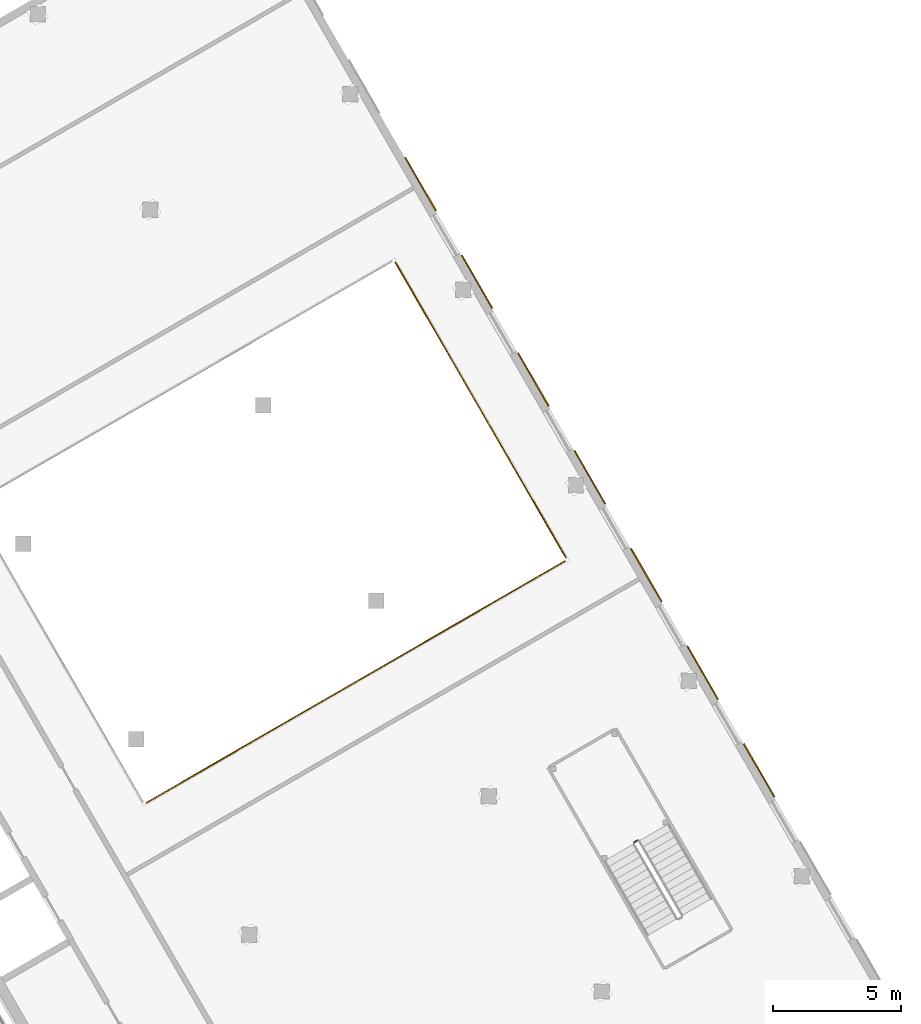
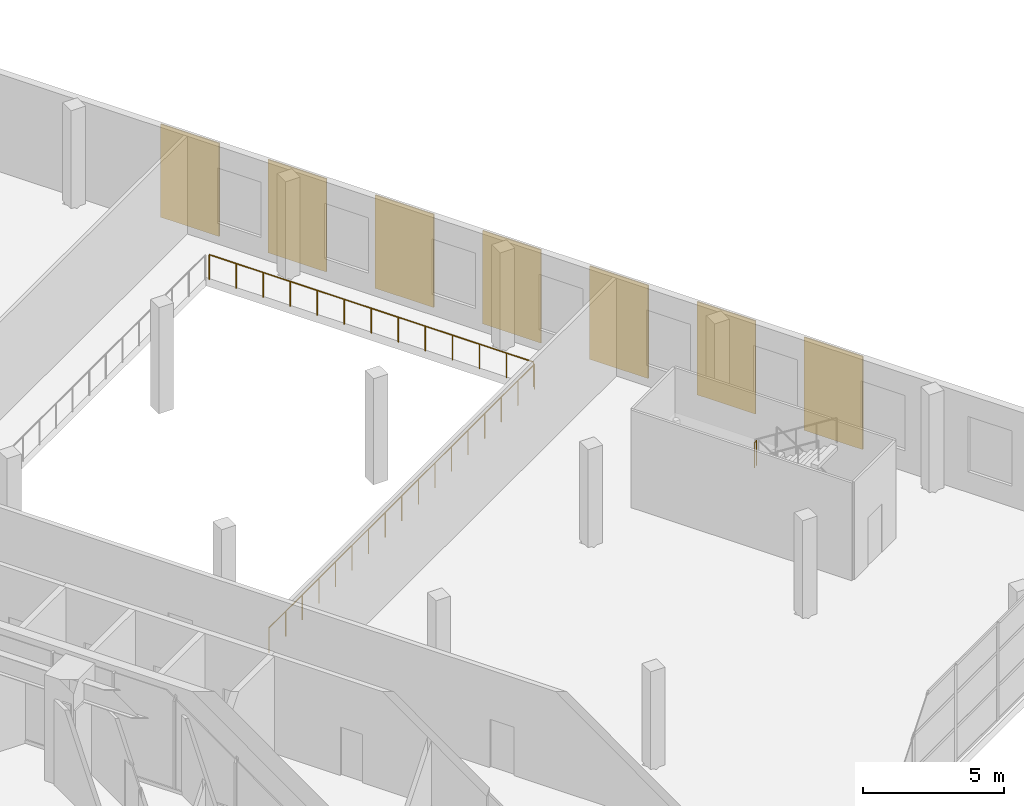
# One storey, part 28 of 30: 7 coverings, 3 railings.
"""IFC4 building model written with IfcOpenShell, lengths in metres."""

from ifc_helpers import new_model, si_unit, direction, frame, origin, origin_2d, place, context, subcontext, project, spatial, rectangle, circle, extrude, material, layer, layer_set, type_object, element, save


model = new_model("IFC4")

# Units and contexts
model_context = context("Model", 3, precision=1e-05, world=origin(), true_north=direction((0.0, 1.0)))
body_context = subcontext(model_context, "Body", "Model", "MODEL_VIEW")
ifc_project = project(units=[si_unit("LENGTHUNIT", "METRE"), si_unit("AREAUNIT", "SQUARE_METRE"), si_unit("VOLUMEUNIT", "CUBIC_METRE"), si_unit("PLANEANGLEUNIT", "RADIAN"), si_unit("MASSUNIT", "GRAM", prefix="KILO")], contexts=[model_context])

# Site, building, storey
site_placement = place(None, origin())
site = spatial("IfcSite", under=ifc_project, at=site_placement, CompositionType="ELEMENT")
building_placement = place(site_placement, origin())
building = spatial("IfcBuilding", under=site, at=building_placement, Name="Firuza Gate Tower and Library", CompositionType="ELEMENT")
storey_placement = place(building_placement, frame((0.0, 0.0, 12.60009765625)))
storey = spatial("IfcBuildingStorey", under=building, at=storey_placement, Name="L02", CompositionType="ELEMENT", Elevation=12.60009765625)

# Railings
ifc_material_1 = material(Name="Steel S355", Category="steel")
railing_type = type_object("IfcRailingType", Name="LIB GUARD", PredefinedType="GUARDRAIL", material=ifc_material_1)
railing_1_placement = place(storey_placement, frame((121.2890625, 86.494384765625, 2.2998046875)))
element("IfcRailing", 1, at=railing_1_placement, inside=storey, type_object=railing_type, Name="L02 LIB-ST-C stair guard 2", PredefinedType="GUARDRAIL", context=body_context, shape_type="SweptSolid", body=[
    extrude(circle(Radius=0.02392578125, at=origin_2d()), frame((0.0, 0.0, 1.076171875), z_axis=(-0.866131372301, -0.499816412211, 0.0), x_axis=(0.499816412211, -0.866131372301, 0.0)), (0.0, 0.0, 1.0), 0.14990234375),
    extrude(circle(Radius=0.02099609375, at=origin_2d()), origin(), (0.0, 0.0, 1.0), 1.052001953125),
    extrude(circle(Radius=0.02099609375, at=origin_2d()), frame((-0.1298828125, -0.074951171875, 0.0)), (0.0, 0.0, 1.0), 1.052001953125),
])
railing_2_placement = place(storey_placement, frame((111.853515625, 109.036865234375, 0.0)))
element("IfcRailing", 2, at=railing_2_placement, inside=storey, type_object=railing_type, Name="Reading room gallery guard 3", PredefinedType="GUARDRAIL", context=body_context, shape_type="SweptSolid", body=[
    extrude(circle(Radius=0.02392578125, at=origin_2d()), frame((0.0, 0.0, 1.076171875), z_axis=(0.500010587032, -0.866019291273, 0.0), x_axis=(0.866019291273, 0.500010587032, 0.0)), (0.0, 0.0, 1.0), 13.300048828125),
    extrude(circle(Radius=0.02099609375, at=origin_2d()), origin(), (0.0, 0.0, 1.0), 1.052001953125),
    extrude(circle(Radius=0.02099609375, at=origin_2d()), frame((0.55419921875, -0.9599609375, 0.0)), (0.0, 0.0, 1.0), 1.052001953125),
    extrude(circle(Radius=0.02099609375, at=origin_2d()), frame((1.1083984375, -1.919677734375, 0.0)), (0.0, 0.0, 1.0), 1.052001953125),
    extrude(circle(Radius=0.02099609375, at=origin_2d()), frame((1.66259765625, -2.87939453125, 0.0)), (0.0, 0.0, 1.0), 1.052001953125),
    extrude(circle(Radius=0.02099609375, at=origin_2d()), frame((2.216796875, -3.83935546875, 0.0)), (0.0, 0.0, 1.0), 1.052001953125),
    extrude(circle(Radius=0.02099609375, at=origin_2d()), frame((2.77099609375, -4.79931640625, 0.0)), (0.0, 0.0, 1.0), 1.052001953125),
    extrude(circle(Radius=0.02099609375, at=origin_2d()), frame((3.3251953125, -5.759033203125, 0.0)), (0.0, 0.0, 1.0), 1.052001953125),
    extrude(circle(Radius=0.02099609375, at=origin_2d()), frame((3.879150390625, -6.71875, 0.0)), (0.0, 0.0, 1.0), 1.052001953125),
    extrude(circle(Radius=0.02099609375, at=origin_2d()), frame((4.433349609375, -7.6787109375, 0.0)), (0.0, 0.0, 1.0), 1.052001953125),
    extrude(circle(Radius=0.02099609375, at=origin_2d()), frame((4.987548828125, -8.638671875, 0.0)), (0.0, 0.0, 1.0), 1.052001953125),
    extrude(circle(Radius=0.02099609375, at=origin_2d()), frame((5.541748046875, -9.598388671875, 0.0)), (0.0, 0.0, 1.0), 1.052001953125),
    extrude(circle(Radius=0.02099609375, at=origin_2d()), frame((6.095947265625, -10.55810546875, 0.0)), (0.0, 0.0, 1.0), 1.052001953125),
    extrude(circle(Radius=0.02099609375, at=origin_2d()), frame((6.650146484375, -11.51806640625, 0.0)), (0.0, 0.0, 1.0), 1.052001953125),
])
railing_3_placement = place(storey_placement, frame((118.467041015625, 97.382080078125, 0.0)))
element("IfcRailing", 3, at=railing_3_placement, inside=storey, type_object=railing_type, Name="Reading room gallery guard 4", PredefinedType="GUARDRAIL", context=body_context, shape_type="SweptSolid", body=[
    extrude(circle(Radius=0.02392578125, at=origin_2d()), frame((0.0, 0.0, 1.076171875), z_axis=(-0.866025981991, -0.499998998516, 0.0), x_axis=(0.499998998516, -0.866025981991, 0.0)), (0.0, 0.0, 1.0), 18.85009765625),
    extrude(circle(Radius=0.02099609375, at=origin_2d()), origin(), (0.0, 0.0, 1.0), 1.052001953125),
    extrude(circle(Radius=0.02099609375, at=origin_2d()), frame((-1.020263671875, -0.589111328125, 0.0)), (0.0, 0.0, 1.0), 1.052001953125),
    extrude(circle(Radius=0.02099609375, at=origin_2d()), frame((-2.04052734375, -1.17822265625, 0.0)), (0.0, 0.0, 1.0), 1.052001953125),
    extrude(circle(Radius=0.02099609375, at=origin_2d()), frame((-3.060791015625, -1.76708984375, 0.0)), (0.0, 0.0, 1.0), 1.052001953125),
    extrude(circle(Radius=0.02099609375, at=origin_2d()), frame((-4.0810546875, -2.356201171875, 0.0)), (0.0, 0.0, 1.0), 1.052001953125),
    extrude(circle(Radius=0.02099609375, at=origin_2d()), frame((-5.1015625, -2.9453125, 0.0)), (0.0, 0.0, 1.0), 1.052001953125),
    extrude(circle(Radius=0.02099609375, at=origin_2d()), frame((-6.121826171875, -3.534423828125, 0.0)), (0.0, 0.0, 1.0), 1.052001953125),
    extrude(circle(Radius=0.02099609375, at=origin_2d()), frame((-7.14208984375, -4.12353515625, 0.0)), (0.0, 0.0, 1.0), 1.052001953125),
    extrude(circle(Radius=0.02099609375, at=origin_2d()), frame((-8.162353515625, -4.71240234375, 0.0)), (0.0, 0.0, 1.0), 1.052001953125),
    extrude(circle(Radius=0.02099609375, at=origin_2d()), frame((-9.1826171875, -5.301513671875, 0.0)), (0.0, 0.0, 1.0), 1.052001953125),
    extrude(circle(Radius=0.02099609375, at=origin_2d()), frame((-10.202880859375, -5.890625, 0.0)), (0.0, 0.0, 1.0), 1.052001953125),
    extrude(circle(Radius=0.02099609375, at=origin_2d()), frame((-11.22314453125, -6.479736328125, 0.0)), (0.0, 0.0, 1.0), 1.052001953125),
    extrude(circle(Radius=0.02099609375, at=origin_2d()), frame((-12.24365234375, -7.06884765625, 0.0)), (0.0, 0.0, 1.0), 1.052001953125),
    extrude(circle(Radius=0.02099609375, at=origin_2d()), frame((-13.263916015625, -7.657958984375, 0.0)), (0.0, 0.0, 1.0), 1.052001953125),
    extrude(circle(Radius=0.02099609375, at=origin_2d()), frame((-14.2841796875, -8.246826171875, 0.0)), (0.0, 0.0, 1.0), 1.052001953125),
    extrude(circle(Radius=0.02099609375, at=origin_2d()), frame((-15.304443359375, -8.8359375, 0.0)), (0.0, 0.0, 1.0), 1.052001953125),
    extrude(circle(Radius=0.02099609375, at=origin_2d()), frame((-16.32470703125, -9.425048828125, 0.0)), (0.0, 0.0, 1.0), 1.052001953125),
])

# Coverings
ifc_material_2 = material(Name="Turquoise glazed ceramic tile")
ifc_layer_1 = layer(ifc_material_2, 0.050048828125)
ifc_layer_set_1 = layer_set([ifc_layer_1], Name="LIB TILE CLADDING")
covering_type_1 = type_object("IfcCoveringType", Name="LIB TILE CLADDING", PredefinedType="CLADDING", material=ifc_layer_set_1)
for number, where, z_axis, x_axis, name in (
    (4, (126.035400390625, 89.223388671875, 0.099853515625), (0.0, 0.0, 1.0), (-0.5, 0.866025403784, 0.0), "L02 TILE panel 3"),
    (5, (121.635498046875, 96.84423828125, 0.099853515625), (0.0, 0.0, 1.0), (-0.5, 0.866025403784, 0.0), "L02 TILE panel 5"),
    (6, (117.2353515625, 104.46533203125, 0.099853515625), (0.0, 0.0, 1.0), (-0.5, 0.866025403784, 0.0), "L02 TILE panel 7"),
    (7, (112.83544921875, 112.086181640625, 0.099853515625), (0.0, 0.0, 1.0), (-0.5, 0.866025403784, 0.0), "L02 TILE panel 9"),
):
    element("IfcCovering", number, at=place(storey_placement, frame(where, z_axis=z_axis, x_axis=x_axis)), inside=storey, type_object=covering_type_1, Name=name, PredefinedType="CLADDING", context=body_context, shape_type="SweptSolid", body=[
        extrude(rectangle(XDim=2.39990234375, YDim=0.050048828125, at=origin_2d()), origin(), (0.0, 0.0, 1.0), 4.0400390625),
    ])
ifc_material_3 = material(Name="Cobalt glazed ceramic tile")
ifc_layer_2 = layer(ifc_material_3, 0.050048828125)
ifc_layer_set_2 = layer_set([ifc_layer_2], Name="LIB TILE CLADDING COBALT")
covering_type_2 = type_object("IfcCoveringType", Name="LIB TILE CLADDING COBALT", PredefinedType="CLADDING", material=ifc_layer_set_2)
for number, where, z_axis, x_axis, name in (
    (8, (123.83544921875, 93.03369140625, 0.099853515625), (0.0, 0.0, 1.0), (-0.5, 0.866025403784, 0.0), "L02 TILE panel 4"),
    (9, (119.435302734375, 100.65478515625, 0.099853515625), (0.0, 0.0, 1.0), (-0.5, 0.866025403784, 0.0), "L02 TILE panel 6"),
    (10, (115.035400390625, 108.27587890625, 0.099853515625), (0.0, 0.0, 1.0), (-0.5, 0.866025403784, 0.0), "L02 TILE panel 8"),
):
    element("IfcCovering", number, at=place(storey_placement, frame(where, z_axis=z_axis, x_axis=x_axis)), inside=storey, type_object=covering_type_2, Name=name, PredefinedType="CLADDING", context=body_context, shape_type="SweptSolid", body=[
        extrude(rectangle(XDim=2.39990234375, YDim=0.050048828125, at=origin_2d()), origin(), (0.0, 0.0, 1.0), 4.0400390625),
    ])

save(model, "model.ifc")
